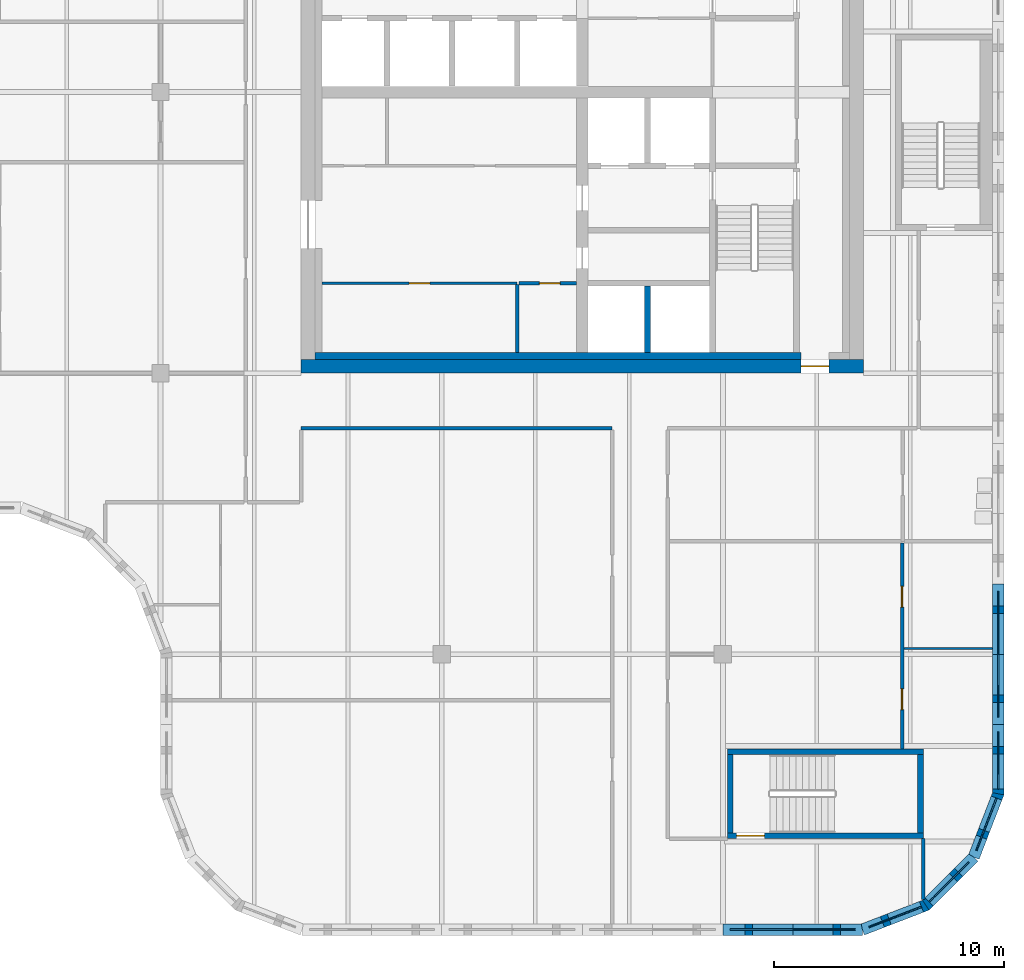
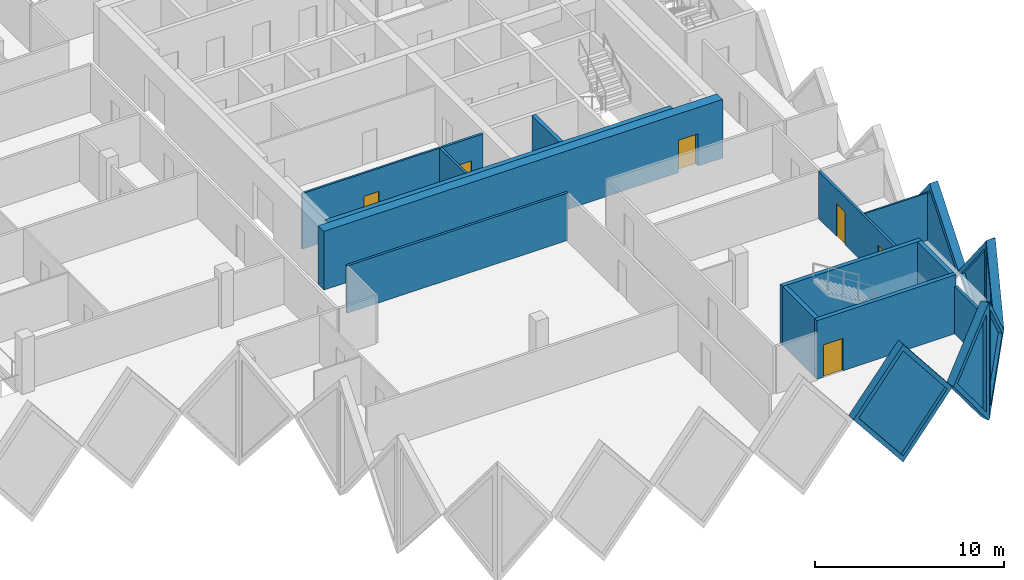
# One storey, part 5 of 12: 20 walls, 6 doors, 6 plates, 12 openings.
"""IFC4 building model written with IfcOpenShell, lengths in metres."""

from ifc_helpers import new_model, si_unit, direction, frame, frame_2d, origin, place, context, subcontext, project, spatial, polyline, rectangle, outline, extrude, faceted_brep, source, transform, mapped, material, layer, layer_set, type_object, element, fill, save


model = new_model("IFC4")

# Units and contexts
model_context = context("Model", 3, precision=1e-05, world=origin(), true_north=direction((0.0, 1.0)))
body_context = subcontext(model_context, "Body", "Model", "MODEL_VIEW")
ifc_project = project(units=[si_unit("LENGTHUNIT", "METRE"), si_unit("AREAUNIT", "SQUARE_METRE"), si_unit("VOLUMEUNIT", "CUBIC_METRE"), si_unit("PLANEANGLEUNIT", "RADIAN"), si_unit("MASSUNIT", "GRAM", prefix="KILO")], contexts=[model_context])

# Site, building, storey
site_placement = place(None, origin())
site = spatial("IfcSite", under=ifc_project, at=site_placement, CompositionType="ELEMENT")
building_placement = place(site_placement, origin())
building = spatial("IfcBuilding", under=site, at=building_placement, Name="Tessera Gate Towers", CompositionType="ELEMENT")
storey_placement = place(building_placement, frame((0.0, 0.0, 182.0)))
storey = spatial("IfcBuildingStorey", under=building, at=storey_placement, Name="L45", CompositionType="ELEMENT", Elevation=182.0)

# Wall
ifc_material_1 = material(Name="Concrete C40/50", Category="concrete")
ifc_layer_1 = layer(ifc_material_1, 0.25)
ifc_layer_set_1 = layer_set([ifc_layer_1], Name="CORE ENCLOSURE WALL 250")
wall_type_1 = type_object("IfcWallType", Name="CORE ENCLOSURE WALL 250", PredefinedType="SOLIDWALL", material=ifc_layer_set_1)
wall_1_placement = place(storey_placement, frame((45.52490234375, 25.300048828125, 0.0), z_axis=(0.0, 0.0, 1.0), x_axis=(0.0, 1.0, 0.0)))
element("IfcWall", 1, at=wall_1_placement, inside=storey, type_object=wall_type_1, Name="L45 shaft and stair enclosure wall", PredefinedType="SOLIDWALL", context=body_context, shape_type="SweptSolid", body=[
    extrude(rectangle(XDim=2.875, YDim=0.25, at=frame_2d((1.4375, 0.0))), origin(), (0.0, 0.0, 1.0), 3.800048828125),
])

# Wall, opening, door
wall_2_placement = place(storey_placement, frame((57.5, 4.324951171875, 0.0), z_axis=(0.0, 0.0, 1.0), x_axis=(-1.0, 0.0, 0.0)))
wall_2 = element("IfcWall", 2, at=wall_2_placement, inside=storey, type_object=wall_type_1, Name="L45 ST4 enclosure wall", PredefinedType="SOLIDWALL", context=body_context, shape_type="SweptSolid", body=[
    extrude(rectangle(XDim=8.5, YDim=0.25, at=frame_2d((4.25, 0.0))), origin(), (0.0, 0.0, 1.0), 3.800048828125),
])
shared_shape_1 = source(origin(), body_context, "Body", "SweptSolid", [
    extrude(rectangle(XDim=1.199951171875, YDim=2.10009765625, at=frame_2d((0.60009765625, 1.050048828125))), frame((0.0, 0.135009765625, 0.0), z_axis=(0.0, -1.0, 0.0), x_axis=(1.0, 0.0, 0.0)), (0.0, 0.0, 1.0), 0.27001953125),
])
opening_1_placement = place(wall_2_placement, frame((6.89990234375, 0.0, 0.0)))
opening_1 = element("IfcOpeningElement", 3, at=opening_1_placement, cuts=wall_2, Name="Opening SD-ST4-1", PredefinedType="OPENING", context=body_context, shape_type="MappedRepresentation", body=[
    mapped(shared_shape_1, transform((0.0, 0.0, 0.0), scale=1.0)),
])
ifc_material_2 = material(Name="Hollow steel fire door", Category="steel")
door_type_1 = type_object("IfcDoorType", Name="CORE DOOR SD 1200x2100", OperationType="NOTDEFINED", PredefinedType="DOOR", material=ifc_material_2)
shared_shape_2 = source(origin(), body_context, "Body", "SweptSolid", [
    extrude(rectangle(XDim=1.199951171875, YDim=2.10009765625, at=frame_2d((0.60009765625, 1.050048828125))), frame((0.0, 0.02490234375, 0.0), z_axis=(0.0, -1.0, 0.0), x_axis=(1.0, 0.0, 0.0)), (0.0, 0.0, 1.0), 0.050048828125),
])
door_1_placement = place(opening_1_placement, origin())
door_1 = element("IfcDoor", 4, at=door_1_placement, inside=storey, type_object=door_type_1, Name="Stair door", OperationType="SINGLE_SWING_RIGHT", OverallHeight=2.10009765625, OverallWidth=1.199951171875, PredefinedType="DOOR", context=body_context, shape_type="MappedRepresentation", body=[
    mapped(shared_shape_2, transform((0.0, 0.0, 0.0), scale=1.0)),
])
fill(opening_1, door_1)

# Walls
wall_3_placement = place(storey_placement, frame((49.125, 4.449951171875, 0.0), z_axis=(0.0, 0.0, 1.0), x_axis=(0.0, 1.0, 0.0)))
element("IfcWall", 5, at=wall_3_placement, inside=storey, type_object=wall_type_1, Name="L45 ST4 enclosure wall", PredefinedType="SOLIDWALL", context=body_context, shape_type="SweptSolid", body=[
    extrude(rectangle(XDim=3.400146484375, YDim=0.25, at=frame_2d((1.7001953125, 0.0))), origin(), (0.0, 0.0, 1.0), 3.800048828125),
])
wall_4_placement = place(storey_placement, frame((49.0, 7.97509765625, 0.0), z_axis=(0.0, 0.0, 1.0), x_axis=(1.0, 0.0, 0.0)))
element("IfcWall", 6, at=wall_4_placement, inside=storey, type_object=wall_type_1, Name="L45 ST4 enclosure wall", PredefinedType="SOLIDWALL", context=body_context, shape_type="SweptSolid", body=[
    extrude(rectangle(XDim=8.5, YDim=0.25, at=frame_2d((4.25, 0.0))), origin(), (0.0, 0.0, 1.0), 3.800048828125),
])
wall_5_placement = place(storey_placement, frame((57.375, 7.85009765625, 0.0), z_axis=(0.0, 0.0, 1.0), x_axis=(0.0, -1.0, 0.0)))
element("IfcWall", 7, at=wall_5_placement, inside=storey, type_object=wall_type_1, Name="L45 ST4 enclosure wall", PredefinedType="SOLIDWALL", context=body_context, shape_type="SweptSolid", body=[
    extrude(rectangle(XDim=3.400146484375, YDim=0.25, at=frame_2d((1.7001953125, 0.0))), origin(), (0.0, 0.0, 1.0), 3.800048828125),
])

# Wall, opening, door
ifc_material_3 = material(Name="Gypsum board on steel studs", Category="steel")
ifc_layer_2 = layer(ifc_material_3, 0.1201171875)
ifc_layer_set_2 = layer_set([ifc_layer_2], Name="CORE PARTITION 120")
wall_type_2 = type_object("IfcWallType", Name="CORE PARTITION 120", PredefinedType="PARTITIONING", material=ifc_layer_set_2)
wall_6_placement = place(storey_placement, frame((39.875, 28.300048828125, 0.0), z_axis=(0.0, 0.0, 1.0), x_axis=(-1.0, 0.0, 0.0)))
wall_6 = element("IfcWall", 8, at=wall_6_placement, inside=storey, type_object=wall_type_2, Name="L45 core partition", PredefinedType="PARTITIONING", context=body_context, shape_type="SweptSolid", body=[
    extrude(rectangle(XDim=8.47509765625, YDim=0.1201171875, at=frame_2d((4.237548828125, 0.0))), origin(), (0.0, 0.0, 1.0), 3.60009765625),
])
shared_shape_3 = source(origin(), body_context, "Body", "SweptSolid", [
    extrude(rectangle(XDim=0.89990234375, YDim=2.10009765625, at=frame_2d((0.449951171875, 1.050048828125))), frame((0.0, 0.070068359375, 0.0), z_axis=(0.0, -1.0, 0.0), x_axis=(1.0, 0.0, 0.0)), (0.0, 0.0, 1.0), 0.14013671875),
])
opening_2_placement = place(wall_6_placement, frame((3.78759765625, 0.0, 0.0)))
opening_2 = element("IfcOpeningElement", 9, at=opening_2_placement, cuts=wall_6, Name="Opening RD-T1-28-09", PredefinedType="OPENING", context=body_context, shape_type="MappedRepresentation", body=[
    mapped(shared_shape_3, transform((0.0, 0.0, 0.0), scale=1.0)),
])
ifc_material_4 = material(Name="Hollow steel fire door", Category="steel")
door_type_2 = type_object("IfcDoorType", Name="CORE DOOR RD 900x2100", OperationType="NOTDEFINED", PredefinedType="DOOR", material=ifc_material_4)
shared_shape_4 = source(origin(), body_context, "Body", "SweptSolid", [
    extrude(rectangle(XDim=0.89990234375, YDim=2.10009765625, at=frame_2d((0.449951171875, 1.050048828125))), frame((0.0, 0.02490234375, 0.0), z_axis=(0.0, -1.0, 0.0), x_axis=(1.0, 0.0, 0.0)), (0.0, 0.0, 1.0), 0.050048828125),
])
door_2_placement = place(opening_2_placement, origin())
door_2 = element("IfcDoor", 10, at=door_2_placement, inside=storey, type_object=door_type_2, Name="Core room door", OperationType="SINGLE_SWING_RIGHT", OverallHeight=2.10009765625, OverallWidth=0.89990234375, PredefinedType="DOOR", context=body_context, shape_type="MappedRepresentation", body=[
    mapped(shared_shape_4, transform((0.0, 0.0, 0.0), scale=1.0)),
])
fill(opening_2, door_2)

ifc_material_5 = material(Name="Concrete C50/60", Category="concrete")
ifc_layer_3 = layer(ifc_material_5, 0.60009765625)
ifc_layer_set_3 = layer_set([ifc_layer_3], Name="CORE SHEAR WALL 600 C50/60")
wall_type_3 = type_object("IfcWallType", Name="CORE SHEAR WALL 600 C50/60", PredefinedType="SHEAR", material=ifc_layer_set_3)
wall_7_placement = place(storey_placement, frame((54.89990234375, 24.699951171875, 0.0), z_axis=(0.0, 0.0, 1.0), x_axis=(-1.0, 0.0, 0.0)))
wall_7 = element("IfcWall", 11, at=wall_7_placement, inside=storey, type_object=wall_type_3, Name="Core wall S L45", PredefinedType="SHEAR", context=body_context, shape_type="SweptSolid", body=[
    extrude(rectangle(XDim=24.39990234375, YDim=0.60009765625, at=frame_2d((12.199951171875, 0.0))), origin(), (0.0, 0.0, 1.0), 3.800048828125),
])
shared_shape_5 = source(origin(), body_context, "Body", "SweptSolid", [
    extrude(rectangle(XDim=1.199951171875, YDim=2.10009765625, at=frame_2d((0.60009765625, 1.050048828125))), frame((0.0, 0.31005859375, 0.0), z_axis=(0.0, -1.0, 0.0), x_axis=(1.0, 0.0, 0.0)), (0.0, 0.0, 1.0), 0.6201171875),
])
opening_3_placement = place(wall_7_placement, frame((1.5, 0.0, 0.0)))
opening_3 = element("IfcOpeningElement", 12, at=opening_3_placement, cuts=wall_7, Name="Opening ED-T1-28-01", PredefinedType="OPENING", context=body_context, shape_type="MappedRepresentation", body=[
    mapped(shared_shape_5, transform((0.0, 0.0, 0.0), scale=1.0)),
])
ifc_material_6 = material(Name="Hollow steel fire door", Category="steel")
door_type_3 = type_object("IfcDoorType", Name="CORE DOOR ED 1200x2100", OperationType="NOTDEFINED", PredefinedType="DOOR", material=ifc_material_6)
door_3_placement = place(opening_3_placement, origin())
door_3 = element("IfcDoor", 13, at=door_3_placement, inside=storey, type_object=door_type_3, Name="Core exit door", OperationType="SINGLE_SWING_LEFT", OverallHeight=2.10009765625, OverallWidth=1.199951171875, PredefinedType="DOOR", context=body_context, shape_type="MappedRepresentation", body=[
    mapped(shared_shape_2, transform((0.0, 0.0, 0.0), scale=1.0)),
])
fill(opening_3, door_3)

# Walls
ifc_material_7 = material(Name="Concrete C50/60", Category="concrete")
ifc_layer_4 = layer(ifc_material_7, 0.300048828125)
ifc_layer_set_4 = layer_set([ifc_layer_4], Name="CORE WALL THICKENING 300")
wall_type_4 = type_object("IfcWallType", Name="CORE WALL THICKENING 300", PredefinedType="SOLIDWALL", material=ifc_layer_set_4)
wall_8_placement = place(storey_placement, frame((31.10009765625, 25.14990234375, 0.0), z_axis=(0.0, 0.0, 1.0), x_axis=(1.0, 0.0, 0.0)))
element("IfcWall", 14, at=wall_8_placement, inside=storey, type_object=wall_type_4, Name="Core wall thickening S L45", PredefinedType="SOLIDWALL", context=body_context, shape_type="SweptSolid", body=[
    extrude(rectangle(XDim=21.099853515625, YDim=0.300048828125, at=frame_2d((10.5498046875, 0.0))), origin(), (0.0, 0.0, 1.0), 3.800048828125),
])
ifc_material_8 = material(Name="Gypsum board on steel studs, mineral wool", Category="steel")
ifc_layer_5 = layer(ifc_material_8, 0.14990234375)
ifc_layer_set_5 = layer_set([ifc_layer_5], Name="CORRIDOR WALL 150")
wall_type_5 = type_object("IfcWallType", Name="CORRIDOR WALL 150", PredefinedType="PARTITIONING", material=ifc_layer_set_5)
wall_9_placement = place(storey_placement, frame((57.5, 1.55908203125, 0.0), z_axis=(0.0, 0.0, 1.0), x_axis=(0.0, 1.0, 0.0)))
element("IfcWall", 15, at=wall_9_placement, inside=storey, type_object=wall_type_5, Name="T1-L45-PW-002", PredefinedType="PARTITIONING", context=body_context, shape_type="SweptSolid", body=[
    extrude(rectangle(XDim=2.640869140625, YDim=0.14990234375, at=frame_2d((1.3203125, 0.0))), origin(), (0.0, 0.0, 1.0), 3.06689453125),
])
wall_10_placement = place(storey_placement, frame((30.5, 22.0, 0.0), z_axis=(0.0, 0.0, 1.0), x_axis=(1.0, 0.0, 0.0)))
element("IfcWall", 16, at=wall_10_placement, inside=storey, type_object=wall_type_5, Name="T1-L45-PW-020", PredefinedType="PARTITIONING", context=body_context, shape_type="SweptSolid", body=[
    extrude(rectangle(XDim=13.5, YDim=0.14990234375, at=frame_2d((6.75, 0.0))), origin(), (0.0, 0.0, 1.0), 3.06689453125),
])
ifc_material_9 = material(Name="Gypsum board on steel studs", Category="steel")
ifc_layer_6 = layer(ifc_material_9, 0.10009765625)
ifc_layer_set_6 = layer_set([ifc_layer_6], Name="PARTITION 100")
wall_type_6 = type_object("IfcWallType", Name="PARTITION 100", PredefinedType="PARTITIONING", material=ifc_layer_set_6)
wall_11_placement = place(storey_placement, frame((56.65087890625, 12.447998046875, 0.0), z_axis=(0.0, 0.0, 1.0), x_axis=(1.0, 0.0, 0.0)))
element("IfcWall", 17, at=wall_11_placement, inside=storey, type_object=wall_type_6, Name="T1-L45-PW-009", PredefinedType="PARTITIONING", context=body_context, shape_type="SweptSolid", body=[
    extrude(rectangle(XDim=3.84912109375, YDim=0.10009765625, at=frame_2d((1.924560546875, 0.0))), origin(), (0.0, 0.0, 1.0), 3.06689453125),
])
ifc_material_10 = material(Name="Gypsum board on steel studs", Category="steel")
ifc_layer_7 = layer(ifc_material_10, 0.14990234375)
ifc_layer_set_7 = layer_set([ifc_layer_7], Name="SERVICE ROOM WALL 150")
wall_type_7 = type_object("IfcWallType", Name="SERVICE ROOM WALL 150", PredefinedType="PARTITIONING", material=ifc_layer_set_7)
wall_12_placement = place(storey_placement, frame((39.875, 25.300048828125, 0.0), z_axis=(0.0, 0.0, 1.0), x_axis=(0.0, 1.0, 0.0)))
element("IfcWall", 18, at=wall_12_placement, inside=storey, type_object=wall_type_7, Name="L45 service room wall", PredefinedType="PARTITIONING", context=body_context, shape_type="SweptSolid", body=[
    extrude(rectangle(XDim=2.93994140625, YDim=0.14990234375, at=frame_2d((1.469970703125, 0.0))), origin(), (0.0, 0.0, 1.0), 3.60009765625),
])

# Wall, opening, door
wall_13_placement = place(storey_placement, frame((42.449951171875, 28.300048828125, 0.0), z_axis=(0.0, 0.0, 1.0), x_axis=(-1.0, 0.0, 0.0)))
wall_13 = element("IfcWall", 19, at=wall_13_placement, inside=storey, type_object=wall_type_7, Name="L45 service room wall", PredefinedType="PARTITIONING", context=body_context, shape_type="SweptSolid", body=[
    extrude(rectangle(XDim=2.5, YDim=0.14990234375, at=frame_2d((1.25, 0.0))), origin(), (0.0, 0.0, 1.0), 3.60009765625),
])
shared_shape_6 = source(origin(), body_context, "Body", "SweptSolid", [
    extrude(rectangle(XDim=0.89990234375, YDim=2.10009765625, at=frame_2d((0.449951171875, 1.050048828125))), frame((0.0, 0.0849609375, 0.0), z_axis=(0.0, -1.0, 0.0), x_axis=(1.0, 0.0, 0.0)), (0.0, 0.0, 1.0), 0.169921875),
])
opening_4_placement = place(wall_13_placement, frame((0.71240234375, 0.0, 0.0)))
opening_4 = element("IfcOpeningElement", 20, at=opening_4_placement, cuts=wall_13, Name="Opening RD-T1-28-14", PredefinedType="OPENING", context=body_context, shape_type="MappedRepresentation", body=[
    mapped(shared_shape_6, transform((0.0, 0.0, 0.0), scale=1.0)),
])
door_4_placement = place(opening_4_placement, origin())
door_4 = element("IfcDoor", 21, at=door_4_placement, inside=storey, type_object=door_type_2, Name="Core room door", OperationType="SINGLE_SWING_LEFT", OverallHeight=2.10009765625, OverallWidth=0.89990234375, PredefinedType="DOOR", context=body_context, shape_type="MappedRepresentation", body=[
    mapped(shared_shape_4, transform((0.0, 0.0, 0.0), scale=1.0)),
])
fill(opening_4, door_4)

# Wall, openings, doors
ifc_material_11 = material(Name="Gypsum board on steel studs, mineral wool", Category="steel")
ifc_layer_8 = layer(ifc_material_11, 0.14990234375)
ifc_layer_set_8 = layer_set([ifc_layer_8], Name="TENANCY WALL 150")
wall_type_8 = type_object("IfcWallType", Name="TENANCY WALL 150", PredefinedType="PARTITIONING", material=ifc_layer_set_8)
wall_14_placement = place(storey_placement, frame((56.574951171875, 17.02392578125, 0.0), z_axis=(0.0, 0.0, 1.0), x_axis=(0.0, -1.0, 0.0)))
wall_14 = element("IfcWall", 22, at=wall_14_placement, inside=storey, type_object=wall_type_8, Name="T1-L45-PW-005", PredefinedType="PARTITIONING", context=body_context, shape_type="SweptSolid", body=[
    extrude(rectangle(XDim=8.923828125, YDim=0.14990234375, at=frame_2d((4.4619140625, 0.0))), origin(), (0.0, 0.0, 1.0), 3.06689453125),
])
opening_5_placement = place(wall_14_placement, frame((6.323974609375, 0.0, 0.0)))
opening_5 = element("IfcOpeningElement", 23, at=opening_5_placement, cuts=wall_14, Name="Opening D190-A16-03", PredefinedType="OPENING", context=body_context, shape_type="MappedRepresentation", body=[
    mapped(shared_shape_6, transform((0.0, 0.0, 0.0), scale=1.0)),
])
opening_6_placement = place(wall_14_placement, frame((1.876220703125, 0.0, 0.0)))
opening_6 = element("IfcOpeningElement", 24, at=opening_6_placement, cuts=wall_14, Name="Opening D190-A16-05", PredefinedType="OPENING", context=body_context, shape_type="MappedRepresentation", body=[
    mapped(shared_shape_6, transform((0.0, 0.0, 0.0), scale=1.0)),
])
ifc_material_12 = material(Name="Timber door leaf in steel frame", Category="steel")
door_type_4 = type_object("IfcDoorType", Name="INTERNAL DOOR 900 NOT RATED", OperationType="NOTDEFINED", PredefinedType="DOOR", material=ifc_material_12)
door_5_placement = place(opening_5_placement, origin())
door_5 = element("IfcDoor", 25, at=door_5_placement, inside=storey, type_object=door_type_4, Name="T1-L45-PD-004", OperationType="SINGLE_SWING_RIGHT", OverallHeight=2.10009765625, OverallWidth=0.89990234375, PredefinedType="DOOR", context=body_context, shape_type="MappedRepresentation", body=[
    mapped(shared_shape_4, transform((0.0, 0.0, 0.0), scale=1.0)),
])
fill(opening_5, door_5)
door_6_placement = place(opening_6_placement, origin())
door_6 = element("IfcDoor", 26, at=door_6_placement, inside=storey, type_object=door_type_4, Name="T1-L45-PD-006", OperationType="SINGLE_SWING_RIGHT", OverallHeight=2.10009765625, OverallWidth=0.89990234375, PredefinedType="DOOR", context=body_context, shape_type="MappedRepresentation", body=[
    mapped(shared_shape_4, transform((0.0, 0.0, 0.0), scale=1.0)),
])
fill(opening_6, door_6)

# Wall, opening, plate
ifc_material_13 = material(Name="Precast concrete C60/75 white", Category="concrete")
ifc_layer_9 = layer(ifc_material_13, 0.5)
ifc_layer_set_9 = layer_set([ifc_layer_9], Name="TS1 tessera")
wall_type_9 = type_object("IfcWallType", Name="TS1 tessera", PredefinedType="SOLIDWALL", material=ifc_layer_set_9)
shared_shape_7 = source(origin(), body_context, "Body", "SweptSolid", [
    extrude(outline(polyline([(3.050048828125, 0.0), (6.10009765625, 3.800048828125), (3.050048828125, 7.60009765625), (0.0, 3.800048828125), (3.050048828125, 0.0)])), frame((0.0, 0.25, 0.0), z_axis=(0.0, -1.0, 0.0), x_axis=(1.0, 0.0, 0.0)), (0.0, 0.0, 1.0), 0.5),
])
wall_15_placement = place(storey_placement, frame((60.75, 9.14990234375, -3.800048828125), z_axis=(0.0, 0.0, 1.0), x_axis=(0.0, 1.0, 0.0)))
wall_15 = element("IfcWall", 27, at=wall_15_placement, inside=storey, type_object=wall_type_9, Name="Precast tessera T1 TS1-0786", PredefinedType="SOLIDWALL", context=body_context, shape_type="MappedRepresentation", body=[
    mapped(shared_shape_7, transform((0.0, 0.0, 0.0), scale=1.0)),
])
shared_shape_8 = source(origin(), body_context, "Body", "SweptSolid", [
    extrude(outline(polyline([(3.050048828125, 0.3994140625), (5.779541015625, 3.800048828125), (3.050048828125, 7.20068359375), (0.320556640625, 3.800048828125), (3.050048828125, 0.3994140625)])), frame((0.0, 0.260009765625, 0.0), z_axis=(0.0, -1.0, 0.0), x_axis=(1.0, 0.0, 0.0)), (0.0, 0.0, 1.0), 0.52001953125),
])
opening_7_placement = place(wall_15_placement, origin())
opening_7 = element("IfcOpeningElement", 28, at=opening_7_placement, cuts=wall_15, Name="Opening T1-PL2-1606", PredefinedType="OPENING", context=body_context, shape_type="MappedRepresentation", body=[
    mapped(shared_shape_8, transform((0.0, 0.0, 0.0), scale=1.0)),
])
ifc_material_14 = material(Name="Low-e laminated glass", Category="glass")
ifc_layer_10 = layer(ifc_material_14, 0.06005859375)
ifc_layer_set_10 = layer_set([ifc_layer_10], Name="PL2 rhombic pane")
plate_type = type_object("IfcPlateType", Name="PL2 rhombic pane", PredefinedType="SHEET", material=ifc_layer_set_10)
shared_shape_9 = source(origin(), body_context, "Body", "SweptSolid", [
    extrude(outline(polyline([(3.050048828125, 0.3994140625), (5.779541015625, 3.800048828125), (3.050048828125, 7.20068359375), (0.320556640625, 3.800048828125), (3.050048828125, 0.3994140625)])), frame((0.0, 0.030029296875, 0.0), z_axis=(0.0, -1.0, 0.0), x_axis=(1.0, 0.0, 0.0)), (0.0, 0.0, 1.0), 0.06005859375),
])
plate_1_placement = place(opening_7_placement, origin())
plate_1 = element("IfcPlate", 29, at=plate_1_placement, inside=storey, type_object=plate_type, Name="Glass pane T1 PL2-1606", PredefinedType="SHEET", context=body_context, shape_type="MappedRepresentation", body=[
    mapped(shared_shape_9, transform((0.0, 0.0, 0.0), scale=1.0)),
])
fill(opening_7, plate_1)

shared_shape_10 = source(origin(), body_context, "Body", "Brep", [
    faceted_brep([(3.050048828125, -0.25, 0.0), (6.053466796875, -0.25, 3.800048828125), (3.050048828125, -0.25, 7.60009765625), (0.0, -0.25, 3.800048828125), (0.0, 0.25, 3.800048828125), (3.050048828125, 0.25, 7.60009765625), (6.0068359375, 0.25, 3.85888671875), (6.0068359375, 0.25, 3.7412109375), (3.050048828125, 0.25, 0.0), (6.053466796875, 0.0, 3.800048828125)], [[[0, 1, 2, 3]], [[4, 5, 6, 7, 8]], [[8, 7, 9, 1, 0]], [[6, 5, 2, 1, 9]], [[5, 4, 3, 2]], [[4, 8, 0, 3]], [[9, 7, 6]]]),
])
wall_16_placement = place(storey_placement, frame((48.800048828125, 0.25, -3.800048828125), z_axis=(0.0, 0.0, 1.0), x_axis=(1.0, 0.0, 0.0)))
wall_16 = element("IfcWall", 30, at=wall_16_placement, inside=storey, type_object=wall_type_9, Name="Precast tessera T1 TS1-0785", PredefinedType="SOLIDWALL", context=body_context, shape_type="MappedRepresentation", body=[
    mapped(shared_shape_10, transform((0.0, 0.0, 0.0), scale=1.0)),
])
shared_shape_11 = source(origin(), body_context, "Body", "SweptSolid", [
    extrude(outline(polyline([(3.048583984375, 0.4013671875), (5.73486328125, 3.800048828125), (3.048583984375, 7.19873046875), (0.320556640625, 3.800048828125), (3.048583984375, 0.4013671875)])), frame((0.0, 0.260009765625, 0.0), z_axis=(0.0, -1.0, 0.0), x_axis=(1.0, 0.0, 0.0)), (0.0, 0.0, 1.0), 0.52001953125),
])
opening_8_placement = place(wall_16_placement, origin())
opening_8 = element("IfcOpeningElement", 31, at=opening_8_placement, cuts=wall_16, Name="Opening T1-PL2-1601", PredefinedType="OPENING", context=body_context, shape_type="MappedRepresentation", body=[
    mapped(shared_shape_11, transform((0.0, 0.0, 0.0), scale=1.0)),
])
shared_shape_12 = source(origin(), body_context, "Body", "SweptSolid", [
    extrude(outline(polyline([(3.048583984375, 0.4013671875), (5.73486328125, 3.800048828125), (3.048583984375, 7.19873046875), (0.320556640625, 3.800048828125), (3.048583984375, 0.4013671875)])), frame((0.0, 0.030029296875, 0.0), z_axis=(0.0, -1.0, 0.0), x_axis=(1.0, 0.0, 0.0)), (0.0, 0.0, 1.0), 0.06005859375),
])
plate_2_placement = place(opening_8_placement, origin())
plate_2 = element("IfcPlate", 32, at=plate_2_placement, inside=storey, type_object=plate_type, Name="Glass pane T1 PL2-1601", PredefinedType="SHEET", context=body_context, shape_type="MappedRepresentation", body=[
    mapped(shared_shape_12, transform((0.0, 0.0, 0.0), scale=1.0)),
])
fill(opening_8, plate_2)

ifc_material_15 = material(Name="Precast concrete C60/75 white", Category="concrete")
ifc_layer_11 = layer(ifc_material_15, 0.5)
ifc_layer_set_11 = layer_set([ifc_layer_11], Name="TS3 corner tessera")
wall_type_10 = type_object("IfcWallType", Name="TS3 corner tessera", PredefinedType="SOLIDWALL", material=ifc_layer_set_11)
shared_shape_13 = source(origin(), body_context, "Body", "Brep", [
    faceted_brep([(2.950439453125, -0.25, 0.0), (3.00341796875, -0.25, 0.068359375), (3.00341796875, -0.25, 7.53173828125), (2.950439453125, -0.25, 7.60009765625), (0.0, -0.25, 3.800048828125), (0.046630859375, 0.25, 3.860107421875), (2.897705078125, 0.25, 7.531982421875), (2.897705078125, 0.25, 0.068115234375), (0.046630859375, 0.25, 3.739990234375), (2.950439453125, 0.00048828125, 0.0), (2.950439453125, 0.00048828125, 7.60009765625), (0.0, 0.0, 3.800048828125)], [[[0, 1, 2, 3, 4]], [[5, 6, 7, 8]], [[1, 0, 9]], [[10, 3, 2]], [[6, 5, 11, 4, 3, 10]], [[8, 7, 9, 0, 4, 11]], [[8, 11, 5]], [[1, 9, 7, 6, 10, 2]]]),
])
wall_17_placement = place(storey_placement, frame((54.853515625, 0.25, -3.800048828125), z_axis=(0.0, 0.0, 1.0), x_axis=(0.932970071518, 0.359953949349, 0.0)))
wall_17 = element("IfcWall", 33, at=wall_17_placement, inside=storey, type_object=wall_type_10, Name="Precast corner tessera T1 TS3-1033", PredefinedType="SOLIDWALL", context=body_context, shape_type="MappedRepresentation", body=[
    mapped(shared_shape_13, transform((0.0, 0.0, 0.0), scale=1.0)),
])
shared_shape_14 = source(origin(), body_context, "Body", "SweptSolid", [
    extrude(outline(polyline([(2.75048828125, 6.934814453125), (0.31640625, 3.800048828125), (2.75048828125, 0.665283203125), (2.75048828125, 6.934814453125)])), frame((0.0, 0.260009765625, 0.0), z_axis=(0.0, -1.0, 0.0), x_axis=(1.0, 0.0, 0.0)), (0.0, 0.0, 1.0), 0.52001953125),
])
opening_9_placement = place(wall_17_placement, origin())
opening_9 = element("IfcOpeningElement", 34, at=opening_9_placement, cuts=wall_17, Name="Opening T1-PL2-1602", PredefinedType="OPENING", context=body_context, shape_type="MappedRepresentation", body=[
    mapped(shared_shape_14, transform((0.0, 0.0, 0.0), scale=1.0)),
])
shared_shape_15 = source(origin(), body_context, "Body", "SweptSolid", [
    extrude(outline(polyline([(2.75048828125, 6.934814453125), (0.31640625, 3.800048828125), (2.75048828125, 0.665283203125), (2.75048828125, 6.934814453125)])), frame((0.0, 0.030029296875, 0.0), z_axis=(0.0, -1.0, 0.0), x_axis=(1.0, 0.0, 0.0)), (0.0, 0.0, 1.0), 0.06005859375),
])
plate_3_placement = place(opening_9_placement, origin())
plate_3 = element("IfcPlate", 35, at=plate_3_placement, inside=storey, type_object=plate_type, Name="Glass pane T1 PL2-1602", PredefinedType="SHEET", context=body_context, shape_type="MappedRepresentation", body=[
    mapped(shared_shape_15, transform((0.0, 0.0, 0.0), scale=1.0)),
])
fill(opening_9, plate_3)

shared_shape_16 = source(origin(), body_context, "Body", "Brep", [
    faceted_brep([(0.052978515625, -0.25, 0.0), (2.9970703125, -0.25, 3.800048828125), (0.052978515625, -0.25, 7.60009765625), (0.0, -0.25, 7.531982421875), (0.0, -0.25, 0.068115234375), (0.10595703125, 0.25, 7.53173828125), (2.944091796875, 0.25, 3.8681640625), (2.944091796875, 0.25, 3.73193359375), (0.10595703125, 0.25, 0.068359375), (2.9970703125, 0.000244140625, 3.800048828125), (0.052978515625, 0.0, 0.0), (0.052978515625, 0.0, 7.60009765625)], [[[0, 1, 2, 3, 4]], [[5, 6, 7, 8]], [[8, 7, 9, 1, 0, 10]], [[6, 5, 11, 2, 1, 9]], [[3, 2, 11]], [[10, 0, 4]], [[8, 10, 4, 3, 11, 5]], [[9, 7, 6]]]),
])
wall_18_placement = place(storey_placement, frame((57.56884765625, 1.2744140625, -3.800048828125), z_axis=(0.0, 0.0, 1.0), x_axis=(0.707066050402, 0.707147509625, 0.0)))
wall_18 = element("IfcWall", 36, at=wall_18_placement, inside=storey, type_object=wall_type_10, Name="Precast corner tessera T1 TS3-1034", PredefinedType="SOLIDWALL", context=body_context, shape_type="MappedRepresentation", body=[
    mapped(shared_shape_16, transform((0.0, 0.0, 0.0), scale=1.0)),
])
shared_shape_17 = source(origin(), body_context, "Body", "SweptSolid", [
    extrude(outline(polyline([(0.2529296875, 0.666259765625), (2.680908203125, 3.800048828125), (0.2529296875, 6.933837890625), (0.2529296875, 0.666259765625)])), frame((0.0, 0.260009765625, 0.0), z_axis=(0.0, -1.0, 0.0), x_axis=(1.0, 0.0, 0.0)), (0.0, 0.0, 1.0), 0.52001953125),
])
opening_10_placement = place(wall_18_placement, origin())
opening_10 = element("IfcOpeningElement", 37, at=opening_10_placement, cuts=wall_18, Name="Opening T1-PL2-1603", PredefinedType="OPENING", context=body_context, shape_type="MappedRepresentation", body=[
    mapped(shared_shape_17, transform((0.0, 0.0, 0.0), scale=1.0)),
])
shared_shape_18 = source(origin(), body_context, "Body", "SweptSolid", [
    extrude(outline(polyline([(0.2529296875, 0.666259765625), (2.680908203125, 3.800048828125), (0.2529296875, 6.933837890625), (0.2529296875, 0.666259765625)])), frame((0.0, 0.030029296875, 0.0), z_axis=(0.0, -1.0, 0.0), x_axis=(1.0, 0.0, 0.0)), (0.0, 0.0, 1.0), 0.06005859375),
])
plate_4_placement = place(opening_10_placement, origin())
plate_4 = element("IfcPlate", 38, at=plate_4_placement, inside=storey, type_object=plate_type, Name="Glass pane T1 PL2-1603", PredefinedType="SHEET", context=body_context, shape_type="MappedRepresentation", body=[
    mapped(shared_shape_18, transform((0.0, 0.0, 0.0), scale=1.0)),
])
fill(opening_10, plate_4)

shared_shape_19 = source(origin(), body_context, "Body", "Brep", [
    faceted_brep([(2.950439453125, -0.25, 0.0), (2.9970703125, -0.25, 0.05908203125), (2.9970703125, -0.25, 7.541015625), (2.950439453125, -0.25, 7.60009765625), (0.0, -0.25, 3.800048828125), (0.052978515625, 0.25, 3.8681640625), (2.904052734375, 0.25, 7.540283203125), (2.904052734375, 0.25, 0.059814453125), (0.052978515625, 0.25, 3.73193359375), (2.950439453125, 0.00048828125, 0.0), (2.950439453125, 0.00048828125, 7.60009765625), (0.0, 0.0, 3.800048828125)], [[[0, 1, 2, 3, 4]], [[5, 6, 7, 8]], [[1, 0, 9]], [[10, 3, 2]], [[6, 5, 11, 4, 3, 10]], [[8, 7, 9, 0, 4, 11]], [[8, 11, 5]], [[1, 9, 7, 6, 10, 2]]]),
])
wall_19_placement = place(storey_placement, frame((59.68798828125, 3.393798828125, -3.800048828125), z_axis=(0.0, 0.0, 1.0), x_axis=(0.359972353723, 0.932962970624, 0.0)))
wall_19 = element("IfcWall", 39, at=wall_19_placement, inside=storey, type_object=wall_type_10, Name="Precast corner tessera T1 TS3-1035", PredefinedType="SOLIDWALL", context=body_context, shape_type="MappedRepresentation", body=[
    mapped(shared_shape_19, transform((0.0, 0.0, 0.0), scale=1.0)),
])
opening_11_placement = place(wall_19_placement, origin())
opening_11 = element("IfcOpeningElement", 40, at=opening_11_placement, cuts=wall_19, Name="Opening T1-PL2-1604", PredefinedType="OPENING", context=body_context, shape_type="MappedRepresentation", body=[
    mapped(shared_shape_14, transform((0.0, 0.0, 0.0), scale=1.0)),
])
plate_5_placement = place(opening_11_placement, origin())
plate_5 = element("IfcPlate", 41, at=plate_5_placement, inside=storey, type_object=plate_type, Name="Glass pane T1 PL2-1604", PredefinedType="SHEET", context=body_context, shape_type="MappedRepresentation", body=[
    mapped(shared_shape_15, transform((0.0, 0.0, 0.0), scale=1.0)),
])
fill(opening_11, plate_5)

shared_shape_20 = source(origin(), body_context, "Body", "Brep", [
    faceted_brep([(0.046630859375, -0.25, 0.0), (3.050048828125, -0.25, 3.800048828125), (0.046630859375, -0.25, 7.60009765625), (0.0, -0.25, 7.5400390625), (0.0, -0.25, 0.06005859375), (0.09326171875, 0.25, 7.541259765625), (3.050048828125, 0.25, 3.800048828125), (0.09326171875, 0.25, 0.058837890625), (0.046630859375, 0.0, 0.0), (0.046630859375, 0.0, 7.60009765625)], [[[0, 1, 2, 3, 4]], [[5, 6, 7]], [[7, 6, 1, 0, 8]], [[6, 5, 9, 2, 1]], [[3, 2, 9]], [[8, 0, 4]], [[7, 8, 4, 3, 9, 5]]]),
])
wall_20_placement = place(storey_placement, frame((60.75, 6.099853515625, -3.800048828125), z_axis=(0.0, 0.0, 1.0), x_axis=(0.0, 1.0, 0.0)))
wall_20 = element("IfcWall", 42, at=wall_20_placement, inside=storey, type_object=wall_type_10, Name="Precast corner tessera T1 TS3-1036", PredefinedType="SOLIDWALL", context=body_context, shape_type="MappedRepresentation", body=[
    mapped(shared_shape_20, transform((0.0, 0.0, 0.0), scale=1.0)),
])
shared_shape_21 = source(origin(), body_context, "Body", "SweptSolid", [
    extrude(outline(polyline([(0.24658203125, 0.65625), (2.7314453125, 3.800048828125), (0.24658203125, 6.94384765625), (0.24658203125, 0.65625)])), frame((0.0, 0.260009765625, 0.0), z_axis=(0.0, -1.0, 0.0), x_axis=(1.0, 0.0, 0.0)), (0.0, 0.0, 1.0), 0.52001953125),
])
opening_12_placement = place(wall_20_placement, origin())
opening_12 = element("IfcOpeningElement", 43, at=opening_12_placement, cuts=wall_20, Name="Opening T1-PL2-1605", PredefinedType="OPENING", context=body_context, shape_type="MappedRepresentation", body=[
    mapped(shared_shape_21, transform((0.0, 0.0, 0.0), scale=1.0)),
])
shared_shape_22 = source(origin(), body_context, "Body", "SweptSolid", [
    extrude(outline(polyline([(0.24658203125, 0.65625), (2.7314453125, 3.800048828125), (0.24658203125, 6.94384765625), (0.24658203125, 0.65625)])), frame((0.0, 0.030029296875, 0.0), z_axis=(0.0, -1.0, 0.0), x_axis=(1.0, 0.0, 0.0)), (0.0, 0.0, 1.0), 0.06005859375),
])
plate_6_placement = place(opening_12_placement, origin())
plate_6 = element("IfcPlate", 44, at=plate_6_placement, inside=storey, type_object=plate_type, Name="Glass pane T1 PL2-1605", PredefinedType="SHEET", context=body_context, shape_type="MappedRepresentation", body=[
    mapped(shared_shape_22, transform((0.0, 0.0, 0.0), scale=1.0)),
])
fill(opening_12, plate_6)

save(model, "model.ifc")
